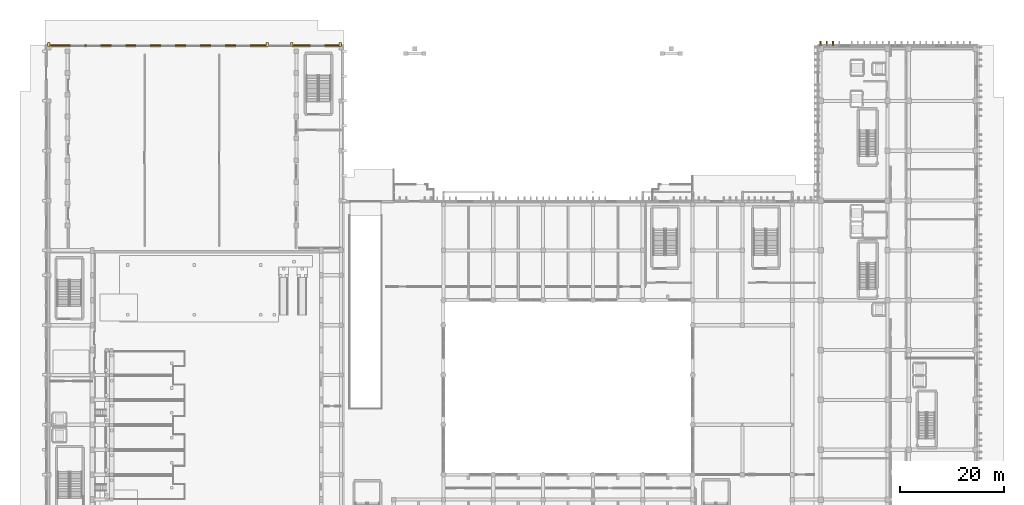
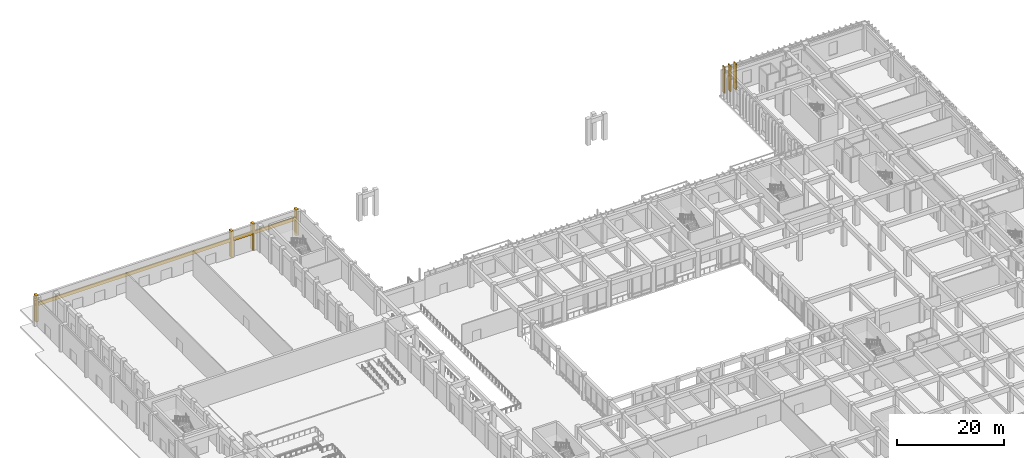
# One storey, part 85 of 87: 8 coverings, 3 shading devices.
"""IFC4 building model written with IfcOpenShell, lengths in metres."""

from ifc_helpers import new_model, si_unit, direction, frame, origin, origin_2d, place, context, subcontext, project, spatial, rectangle, extrude, material, layer, layer_set, type_object, element, save


model = new_model("IFC4")

# Units and contexts
model_context = context("Model", 3, precision=1e-05, world=origin(), true_north=direction((0.0, 1.0)))
body_context = subcontext(model_context, "Body", "Model", "MODEL_VIEW")
ifc_project = project(units=[si_unit("LENGTHUNIT", "METRE"), si_unit("AREAUNIT", "SQUARE_METRE"), si_unit("VOLUMEUNIT", "CUBIC_METRE"), si_unit("PLANEANGLEUNIT", "RADIAN"), si_unit("MASSUNIT", "GRAM", prefix="KILO")], contexts=[model_context])

# Site, building, storey
site_placement = place(None, origin())
site = spatial("IfcSite", under=ifc_project, at=site_placement, CompositionType="ELEMENT")
building_placement = place(site_placement, origin())
building = spatial("IfcBuilding", under=site, at=building_placement, Name="Nakhvara Creek Congress Hotel", CompositionType="ELEMENT")
storey_placement = place(building_placement, origin())
storey = spatial("IfcBuildingStorey", under=building, at=storey_placement, Name="L00", CompositionType="ELEMENT", Elevation=0.0)

# Coverings
ifc_material_1 = material(Name="Honed pale Omani limestone architectural cladding", Category="masonry")
ifc_layer_1 = layer(ifc_material_1, 0.239990234375)
ifc_layer_set_1 = layer_set([ifc_layer_1], Name="Honed pale Omani limestone architectural cladding")
covering_type_1 = type_object("IfcCoveringType", Name="COV-ARCH-240", PredefinedType="CLADDING", material=ifc_layer_set_1)
covering_placement = place(storey_placement, frame((28.85009765625, 125.85009765625, 3.60009765625), z_axis=(0.0, 0.0, 1.0), x_axis=(1.0, 0.0, 0.0)))
element("IfcCovering", 1, at=covering_placement, inside=storey, type_object=covering_type_1, Name="Pale Limestone Spandrel Band CF04-0035", PredefinedType="CLADDING", context=body_context, shape_type="SweptSolid", body=[
    extrude(rectangle(XDim=56.699951171875, YDim=0.300048828125, at=origin_2d()), origin(), (0.0, 0.0, 1.0), 0.75),
])
ifc_layer_2 = layer(ifc_material_1, 0.449951171875)
ifc_layer_set_2 = layer_set([ifc_layer_2], Name="Honed pale Omani limestone architectural cladding")
covering_type_2 = type_object("IfcCoveringType", Name="COV-BUTT-850", PredefinedType="CLADDING", material=ifc_layer_set_2)
for number, where, z_axis, x_axis, name in (
    (2, (0.75, 126.0849609375, 0.0), (0.0, 0.0, 1.0), (1.0, 0.0, 0.0), "Gothic Limestone Buttress Pier CF03-0430"),
    (3, (42.8701171875, 126.0849609375, 0.0), (0.0, 0.0, 1.0), (1.0, 0.0, 0.0), "Gothic Limestone Buttress Pier CF03-0431"),
    (4, (47.550048828125, 126.0849609375, 0.0), (0.0, 0.0, 1.0), (1.0, 0.0, 0.0), "Gothic Limestone Buttress Pier CF03-0432"),
    (5, (56.909912109375, 126.0849609375, 0.0), (0.0, 0.0, 1.0), (1.0, 0.0, 0.0), "Gothic Limestone Buttress Pier CF03-0433"),
):
    element("IfcCovering", number, at=place(storey_placement, frame(where, z_axis=z_axis, x_axis=x_axis)), inside=storey, type_object=covering_type_2, Name=name, PredefinedType="CLADDING", context=body_context, shape_type="SweptSolid", body=[
        extrude(rectangle(XDim=0.47998046875, YDim=0.85009765625, at=origin_2d()), origin(), (0.0, 0.0, 1.0), 6.0),
    ])
ifc_layer_3 = layer(ifc_material_1, 0.219970703125)
ifc_layer_set_3 = layer_set([ifc_layer_3], Name="Honed pale Omani limestone architectural cladding")
covering_type_3 = type_object("IfcCoveringType", Name="COV-FIN-850", PredefinedType="CLADDING", material=ifc_layer_set_3)
for number, where, z_axis, x_axis, name in (
    (6, (149.449951171875, 126.264892578125, 0.0), (0.0, 0.0, 1.0), (1.0, 0.0, 0.0), "Pale Limestone Fin Cladding CF01-0634"),
    (7, (150.64990234375, 126.264892578125, 0.0), (0.0, 0.0, 1.0), (1.0, 0.0, 0.0), "Pale Limestone Fin Cladding CF01-0636"),
    (8, (151.85009765625, 126.264892578125, 0.0), (0.0, 0.0, 1.0), (1.0, 0.0, 0.0), "Pale Limestone Fin Cladding CF01-0638"),
):
    element("IfcCovering", number, at=place(storey_placement, frame(where, z_axis=z_axis, x_axis=x_axis)), inside=storey, type_object=covering_type_3, Name=name, PredefinedType="CLADDING", context=body_context, shape_type="SweptSolid", body=[
        extrude(rectangle(XDim=0.219970703125, YDim=0.85009765625, at=origin_2d()), origin(), (0.0, 0.0, 1.0), 5.9599609375),
    ])

# Shading devices
ifc_material_2 = material(Name="Honed pale Omani limestone cladding on stainless steel spine", Category="masonry")
shading_device_type = type_object("IfcShadingDeviceType", Name="SHD-FIN-850X5800", PredefinedType="USERDEFINED", material=ifc_material_2)
for number, where, z_axis, x_axis, name in (
    (9, (149.449951171875, 126.264892578125, 0.0), (0.0, 0.0, 1.0), (1.0, 0.0, 0.0), "Limestone Solar Fin FN03-0499"),
    (10, (150.64990234375, 126.264892578125, 0.0), (0.0, 0.0, 1.0), (1.0, 0.0, 0.0), "Limestone Solar Fin FN03-0501"),
    (11, (151.85009765625, 126.264892578125, 0.0), (0.0, 0.0, 1.0), (1.0, 0.0, 0.0), "Limestone Solar Fin FN03-0503"),
):
    element("IfcShadingDevice", number, at=place(storey_placement, frame(where, z_axis=z_axis, x_axis=x_axis)), inside=storey, type_object=shading_device_type, Name=name, ObjectType="FIN", PredefinedType="USERDEFINED", context=body_context, shape_type="SweptSolid", body=[
        extrude(rectangle(XDim=0.219970703125, YDim=0.85009765625, at=origin_2d()), origin(), (0.0, 0.0, 1.0), 5.9599609375),
    ])

save(model, "model.ifc")
